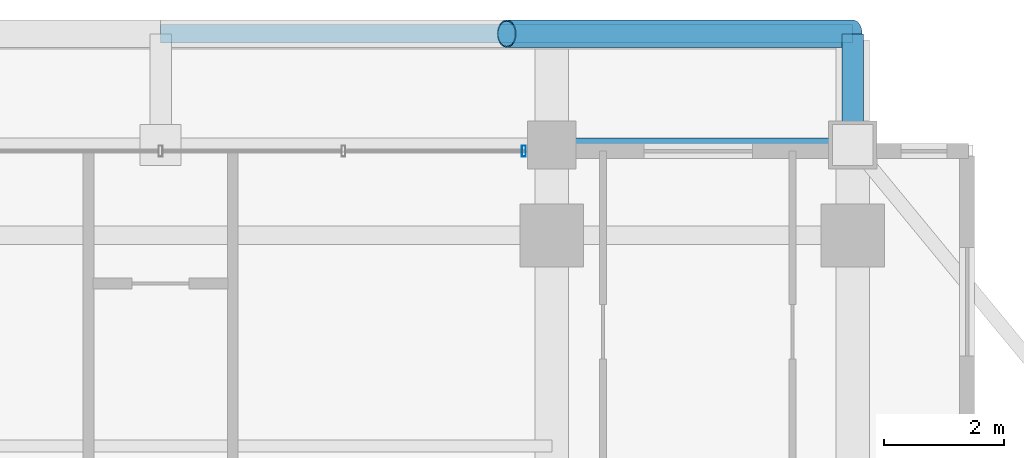
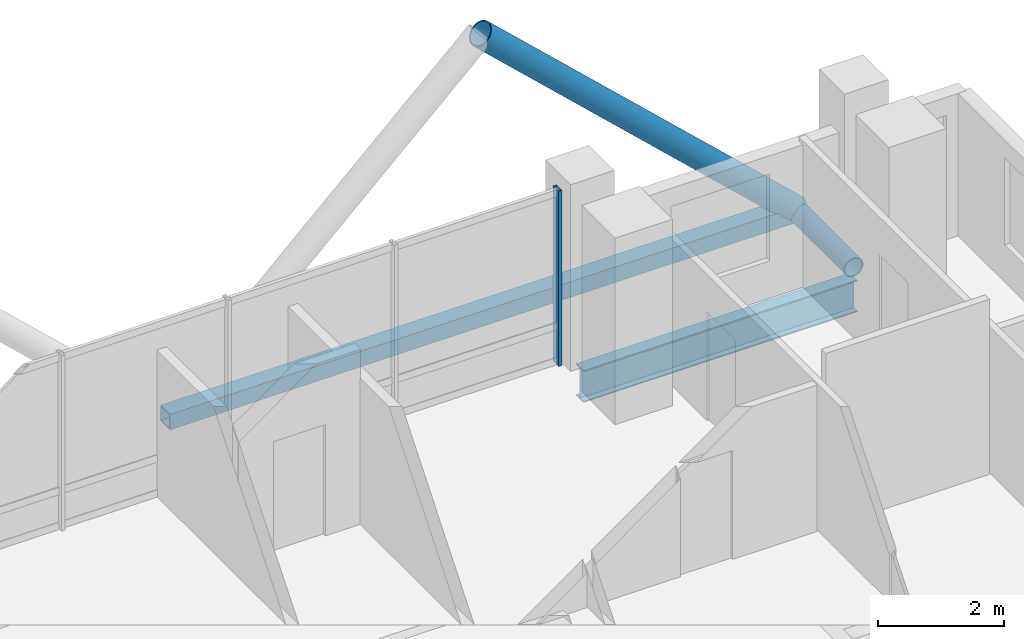
# One storey, part 14 of 23: 4 members, 1 beam, 1 element without a shape of its own.
"""IFC4 building model written with IfcOpenShell, lengths in metres."""

from ifc_helpers import new_model, si_unit, direction, frame, origin, origin_2d, place, context, subcontext, project, spatial, hollow_rectangle, hollow_circle, i_section, extrude, material, layer, layer_set, material_profile, profile_set, type_object, element, aggregate, save


model = new_model("IFC4")

# Units and contexts
model_context = context("Model", 3, precision=1e-05, world=origin(), true_north=direction((0.0, 1.0)))
body_context = subcontext(model_context, "Body", "Model", "MODEL_VIEW")
ifc_project = project(units=[si_unit("LENGTHUNIT", "METRE"), si_unit("AREAUNIT", "SQUARE_METRE"), si_unit("VOLUMEUNIT", "CUBIC_METRE"), si_unit("PLANEANGLEUNIT", "RADIAN"), si_unit("MASSUNIT", "GRAM", prefix="KILO")], contexts=[model_context])

# Site, building, storey
site_placement = place(None, origin())
site = spatial("IfcSite", under=ifc_project, at=site_placement, CompositionType="ELEMENT")
building_placement = place(site_placement, origin())
building = spatial("IfcBuilding", under=site, at=building_placement, Name="Barlavira Tower and Art Museum", CompositionType="ELEMENT")
storey_placement = place(building_placement, frame((0.0, 0.0, 165.60009765625)))
storey = spatial("IfcBuildingStorey", under=building, at=storey_placement, Name="L42", CompositionType="ELEMENT", Elevation=165.60009765625)

# Curtain wall, member
ifc_material_1 = material(Name="Low-iron coastal laminated glass", Category="glass")
ifc_layer = layer(ifc_material_1, 0.199951171875, Name="Low-iron coastal laminated glass")
ifc_layer_set = layer_set([ifc_layer], Name="Low-iron coastal laminated glass")
curtain_wall_type = type_object("IfcCurtainWallType", Name="Pale-Metal Unitised Curtain Wall Zone 3", PredefinedType="NOTDEFINED", material=ifc_layer_set)
curtain_wall_placement = place(storey_placement, origin())
curtain_wall = element("IfcCurtainWall", 1, at=curtain_wall_placement, inside=storey, type_object=curtain_wall_type, Name="L42 Curtain Wall CW3-L42-N-B3", PredefinedType="NOTDEFINED")
ifc_material_2 = material(Name="Pale anodised aluminium", Category="aluminium")
ifc_material_profile_1 = material_profile(ifc_material_2, hollow_rectangle(XDim=0.06494140625, YDim=0.179931640625, WallThickness=0.00390625, at=origin_2d()), Name="ALU-MULL 65x180x4")
ifc_profile_set_1 = profile_set([ifc_material_profile_1], Name="Pale anodised aluminium")
member_type_1 = type_object("IfcMemberType", Name="Curtain Wall Pale-Metal Mullion 65x180", PredefinedType="MULLION", material=ifc_profile_set_1)
member_1_placement = place(storey_placement, frame((6.034912109375, 21.39990234375, 0.0), z_axis=(0.0, 0.0, 1.0), x_axis=(-1.0, 0.0, 0.0)))
member_1 = element("IfcMember", 2, at=member_1_placement, type_object=member_type_1, Name="CW3-L42-N-B3 Mullion 0", PredefinedType="MULLION", context=body_context, shape_type="SweptSolid", body=[
    extrude(hollow_rectangle(XDim=0.06494140625, YDim=0.179931640625, WallThickness=0.00390625, at=origin_2d()), origin(), (0.0, 0.0, 1.0), 3.3798828125),
])
aggregate(curtain_wall, [member_1])

# Members
ifc_material_3 = material(Name="Steel S355", Category="steel")
ifc_material_profile_2 = material_profile(ifc_material_3, hollow_circle(Radius=0.228515625, WallThickness=0.02001953125, at=origin_2d()), Name="CHS 457.0x20.0")
ifc_profile_set_2 = profile_set([ifc_material_profile_2], Name="Steel S355")
member_type_2 = type_object("IfcMemberType", Name="Pale-Metal Exoskeleton Diagrid Tube CHS 457x20 Steel S355", PredefinedType="BRACE", material=ifc_profile_set_2)
member_2_placement = place(storey_placement, frame((11.5, 23.35009765625, -0.1201171875), z_axis=(-0.728950095515, 0.0, 0.684566839869), x_axis=(0.0, -1.0, 0.0)))
element("IfcMember", 3, at=member_2_placement, inside=storey, type_object=member_type_2, Name="L42 Exoskeleton Diagrid Tube N", PredefinedType="BRACE", context=body_context, shape_type="SweptSolid", body=[
    extrude(hollow_circle(Radius=0.228515625, WallThickness=0.02001953125, at=origin_2d()), origin(), (0.0, 0.0, 1.0), 7.887939453125),
])
ifc_material_profile_3 = material_profile(ifc_material_3, hollow_circle(Radius=0.177734375, WallThickness=0.01611328125, at=origin_2d()), Name="CHS 355.6x16.0")
ifc_profile_set_3 = profile_set([ifc_material_profile_3], Name="Steel S355")
member_type_3 = type_object("IfcMemberType", Name="Pale-Metal Exoskeleton Tie Strut CHS 356x16 Steel S355", PredefinedType="STRUT", material=ifc_profile_set_3)
member_3_placement = place(storey_placement, frame((11.5, 23.35009765625, -0.1201171875), z_axis=(0.0, -1.0, 0.0), x_axis=(1.0, 0.0, 0.0)))
element("IfcMember", 4, at=member_3_placement, inside=storey, type_object=member_type_3, Name="L42 Exoskeleton Tie Strut N3", PredefinedType="STRUT", context=body_context, shape_type="SweptSolid", body=[
    extrude(hollow_circle(Radius=0.177734375, WallThickness=0.01611328125, at=origin_2d()), origin(), (0.0, 0.0, 1.0), 1.85009765625),
])
ifc_material_profile_4 = material_profile(ifc_material_3, hollow_rectangle(XDim=0.300048828125, YDim=0.300048828125, WallThickness=0.01611328125, at=origin_2d()), Name="SHS 300x300x16.0")
ifc_profile_set_4 = profile_set([ifc_material_profile_4], Name="Steel S355")
member_type_4 = type_object("IfcMemberType", Name="Pale-Metal Upper Ring Strut SHS 300x300x16 Steel S355", PredefinedType="STRUT", material=ifc_profile_set_4)
member_4_placement = place(storey_placement, frame((0.0, 23.35009765625, -0.1201171875), z_axis=(1.0, 0.0, 0.0), x_axis=(0.0, 1.0, 0.0)))
element("IfcMember", 5, at=member_4_placement, inside=storey, type_object=member_type_4, Name="L42 Exoskeleton Ring Strut N", PredefinedType="STRUT", context=body_context, shape_type="SweptSolid", body=[
    extrude(hollow_rectangle(XDim=0.300048828125, YDim=0.300048828125, WallThickness=0.01611328125, at=origin_2d()), origin(), (0.0, 0.0, 1.0), 11.5),
])

# Beam
ifc_material_profile_5 = material_profile(ifc_material_3, i_section(OverallWidth=0.22998046875, OverallDepth=0.616943359375, WebThickness=0.01318359375, FlangeThickness=0.022216796875, at=origin_2d()), Name="W610x140.0")
ifc_profile_set_5 = profile_set([ifc_material_profile_5], Name="Steel S355")
beam_type = type_object("IfcBeamType", Name="Upper Shaft Spandrel Edge Beam W610x140 Steel S355", PredefinedType="SPANDREL", material=ifc_profile_set_5)
beam_placement = place(storey_placement, frame((6.5, 21.5, -0.608642578125), z_axis=(1.0, 0.0, 0.0), x_axis=(0.0, 1.0, 0.0)))
element("IfcBeam", 6, at=beam_placement, inside=storey, type_object=beam_type, Name="L42 Spandrel 9", PredefinedType="SPANDREL", context=body_context, shape_type="SweptSolid", body=[
    extrude(i_section(OverallWidth=0.22998046875, OverallDepth=0.616943359375, WebThickness=0.01318359375, FlangeThickness=0.022216796875, at=origin_2d()), origin(), (0.0, 0.0, 1.0), 5.0),
])

save(model, "model.ifc")
